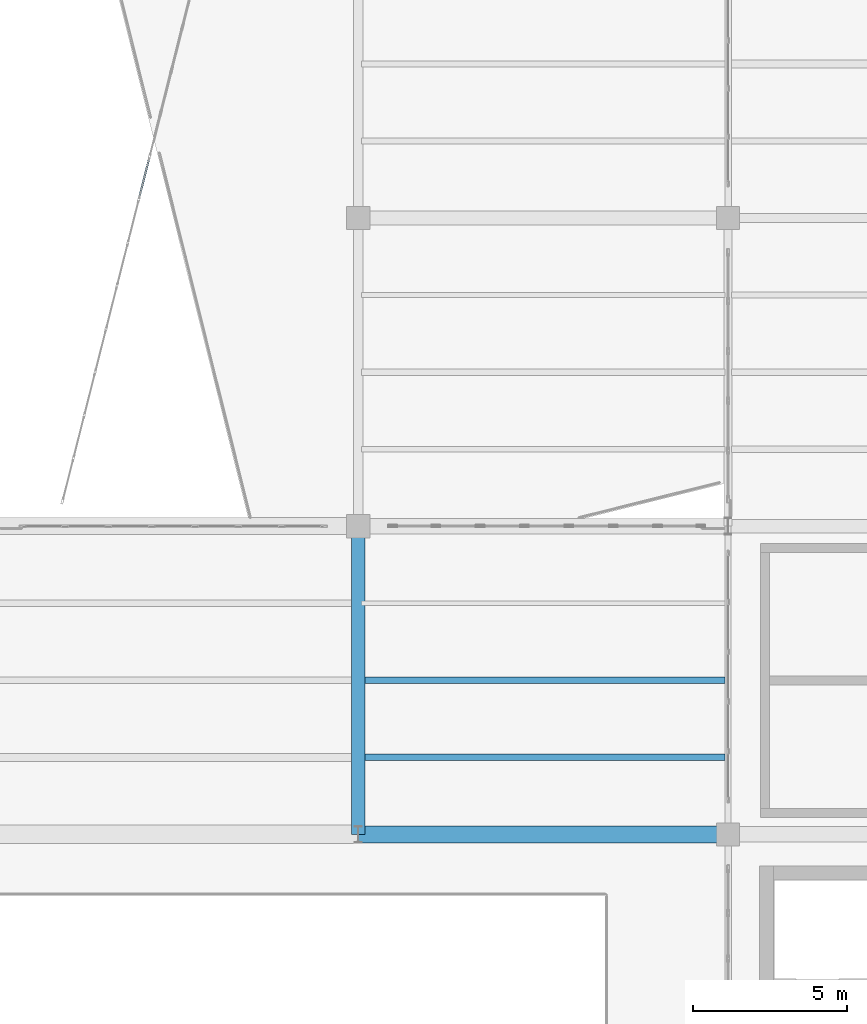
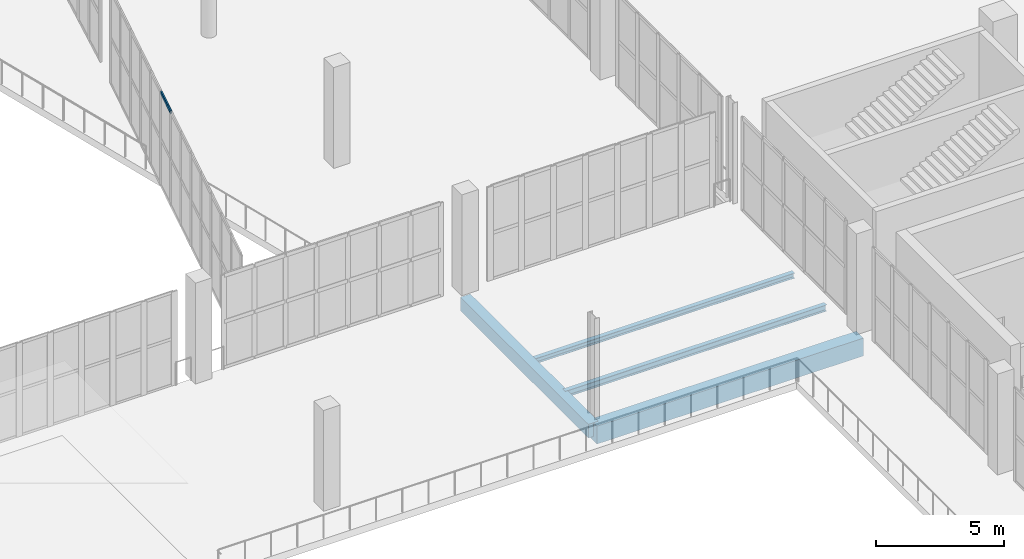
# One storey, part 30 of 136: 4 beams, 1 member, 1 element without a shape of its own.
"""IFC4 building model written with IfcOpenShell, lengths in metres."""

from ifc_helpers import new_model, si_unit, direction, frame, origin, origin_2d, place, context, subcontext, project, spatial, rectangle, hollow_rectangle, i_section, extrude, material, layer, layer_set, material_profile, profile_set, type_object, element, aggregate, save


model = new_model("IFC4")

# Units and contexts
model_context = context("Model", 3, precision=1e-05, world=origin(), true_north=direction((0.0, 1.0)))
body_context = subcontext(model_context, "Body", "Model", "MODEL_VIEW")
ifc_project = project(units=[si_unit("LENGTHUNIT", "METRE"), si_unit("AREAUNIT", "SQUARE_METRE"), si_unit("VOLUMEUNIT", "CUBIC_METRE"), si_unit("PLANEANGLEUNIT", "RADIAN"), si_unit("MASSUNIT", "GRAM", prefix="KILO")], contexts=[model_context])

# Site, building, storey
site_placement = place(None, origin())
site = spatial("IfcSite", under=ifc_project, at=site_placement, CompositionType="ELEMENT")
building_placement = place(site_placement, origin())
building = spatial("IfcBuilding", under=site, at=building_placement, Name="Brinegate Civic Arena", CompositionType="ELEMENT")
storey_placement = place(building_placement, frame((0.0, 0.0, 5.39990234375)))
storey = spatial("IfcBuildingStorey", under=building, at=storey_placement, Name="L01", CompositionType="ELEMENT", Elevation=5.39990234375)

# Curtain wall, member
ifc_material_1 = material(Name="Marine grade aluminium", Category="aluminium")
ifc_layer = layer(ifc_material_1, 0.215087890625, Name="Marine grade aluminium")
ifc_layer_set = layer_set([ifc_layer], Name="Marine grade aluminium")
curtain_wall_type = type_object("IfcCurtainWallType", Name="CW-FOYER-GLAZED-02", PredefinedType="USERDEFINED", material=ifc_layer_set)
curtain_wall_placement = place(storey_placement, origin())
curtain_wall = element("IfcCurtainWall", 1, at=curtain_wall_placement, inside=storey, type_object=curtain_wall_type, Name="Curtain Wall CWA-001", ObjectType="GLAZED CURTAIN WALL", PredefinedType="USERDEFINED")
ifc_material_profile_1 = material_profile(ifc_material_1, hollow_rectangle(XDim=0.06494140625, YDim=0.1650390625, WallThickness=0.0048828125, InnerFilletRadius=0.00390625, OuterFilletRadius=0.008056640625, at=origin_2d()), Name="TRN65X165")
ifc_profile_set_1 = profile_set([ifc_material_profile_1], Name="Marine grade aluminium")
member_type = type_object("IfcMemberType", Name="CW-TRANSOM-65X165", PredefinedType="USERDEFINED", material=ifc_profile_set_1)
member_placement = place(storey_placement, frame((28.884765625, 62.631591796875, 4.4375), z_axis=(0.245200726907, 0.969472332521, 0.0), x_axis=(-0.969472332521, 0.245200726907, 0.0)))
member = element("IfcMember", 2, at=member_placement, type_object=member_type, Name="CWA-001 transom 8.3", ObjectType="TRANSOM", PredefinedType="USERDEFINED", context=body_context, shape_type="SweptSolid", body=[
    extrude(hollow_rectangle(XDim=0.06494140625, YDim=0.1650390625, WallThickness=0.0048828125, InnerFilletRadius=0.00390625, OuterFilletRadius=0.008056640625, at=origin_2d()), origin(), (0.0, 0.0, 1.0), 1.37890625),
])
aggregate(curtain_wall, [member])

# Beams
ifc_material_2 = material(Name="Steel S355", Category="steel")
ifc_material_profile_2 = material_profile(ifc_material_2, i_section(OverallWidth=0.202880859375, OverallDepth=0.251953125, WebThickness=0.008056640625, FlangeThickness=0.013916015625, FilletRadius=0.011962890625, at=origin_2d()), Name="W250X58")
ifc_profile_set_2 = profile_set([ifc_material_profile_2], Name="Steel S355")
beam_type_1 = type_object("IfcBeamType", Name="JOIST-W250X58", PredefinedType="JOIST", material=ifc_profile_set_2)
beam_1_placement = place(storey_placement, frame((36.10595703125, 47.0, -0.4658203125), z_axis=(1.0, 0.0, 0.0), x_axis=(0.0, 1.0, 0.0)))
element("IfcBeam", 3, at=beam_1_placement, inside=storey, type_object=beam_type_1, Name="Secondary Joist BM-L01-JX-03-04-2", PredefinedType="JOIST", context=body_context, shape_type="SweptSolid", body=[
    extrude(i_section(OverallWidth=0.202880859375, OverallDepth=0.251953125, WebThickness=0.008056640625, FlangeThickness=0.013916015625, FilletRadius=0.011962890625, at=origin_2d()), origin(), (0.0, 0.0, 1.0), 11.7880859375),
])
ifc_material_profile_3 = material_profile(ifc_material_2, i_section(OverallWidth=0.202880859375, OverallDepth=0.302978515625, WebThickness=0.008056640625, FlangeThickness=0.012939453125, FilletRadius=0.012939453125, at=origin_2d()), Name="W310X60")
ifc_profile_set_3 = profile_set([ifc_material_profile_3], Name="Steel S355")
beam_type_2 = type_object("IfcBeamType", Name="JOIST-W310X60", PredefinedType="JOIST", material=ifc_profile_set_3)
beam_2_placement = place(storey_placement, frame((36.10595703125, 44.5, -0.490966796875), z_axis=(1.0, 0.0, 0.0), x_axis=(0.0, 1.0, 0.0)))
element("IfcBeam", 4, at=beam_2_placement, inside=storey, type_object=beam_type_2, Name="Secondary Joist BM-L01-JX-03-04-1", PredefinedType="JOIST", context=body_context, shape_type="SweptSolid", body=[
    extrude(i_section(OverallWidth=0.202880859375, OverallDepth=0.302978515625, WebThickness=0.008056640625, FlangeThickness=0.012939453125, FilletRadius=0.012939453125, at=origin_2d()), origin(), (0.0, 0.0, 1.0), 11.7880859375),
])
ifc_material_3 = material(Name="Concrete C50/60", Category="concrete")
ifc_material_profile_4 = material_profile(ifc_material_3, rectangle(XDim=0.449951171875, YDim=0.64990234375, at=origin_2d()), Name="RCB450X650")
ifc_profile_set_4 = profile_set([ifc_material_profile_4], Name="Concrete C50/60")
beam_type_3 = type_object("IfcBeamType", Name="RCG-450X650", PredefinedType="BEAM", material=ifc_profile_set_4)
beam_3_placement = place(storey_placement, frame((36.0, 42.0, -0.664794921875), z_axis=(0.0, 1.0, 0.0), x_axis=(-1.0, 0.0, 0.0)))
element("IfcBeam", 5, at=beam_3_placement, inside=storey, type_object=beam_type_3, Name="Floor Girder BM-L01-GY-03-04", PredefinedType="BEAM", context=body_context, shape_type="SweptSolid", body=[
    extrude(rectangle(XDim=0.449951171875, YDim=0.64990234375, at=origin_2d()), origin(), (0.0, 0.0, 1.0), 10.0),
])
ifc_material_profile_5 = material_profile(ifc_material_3, rectangle(XDim=0.550048828125, YDim=0.85009765625, at=origin_2d()), Name="RCB550X850")
ifc_profile_set_5 = profile_set([ifc_material_profile_5], Name="Concrete C50/60")
beam_type_4 = type_object("IfcBeamType", Name="RCG-550X850", PredefinedType="BEAM", material=ifc_profile_set_5)
beam_4_placement = place(storey_placement, frame((36.0, 42.0, -0.764892578125), z_axis=(1.0, 0.0, 0.0), x_axis=(0.0, 1.0, 0.0)))
element("IfcBeam", 6, at=beam_4_placement, inside=storey, type_object=beam_type_4, Name="Floor Girder BM-L01-GX-03-04", PredefinedType="BEAM", context=body_context, shape_type="SweptSolid", body=[
    extrude(rectangle(XDim=0.550048828125, YDim=0.85009765625, at=origin_2d()), origin(), (0.0, 0.0, 1.0), 12.0),
])

save(model, "model.ifc")
